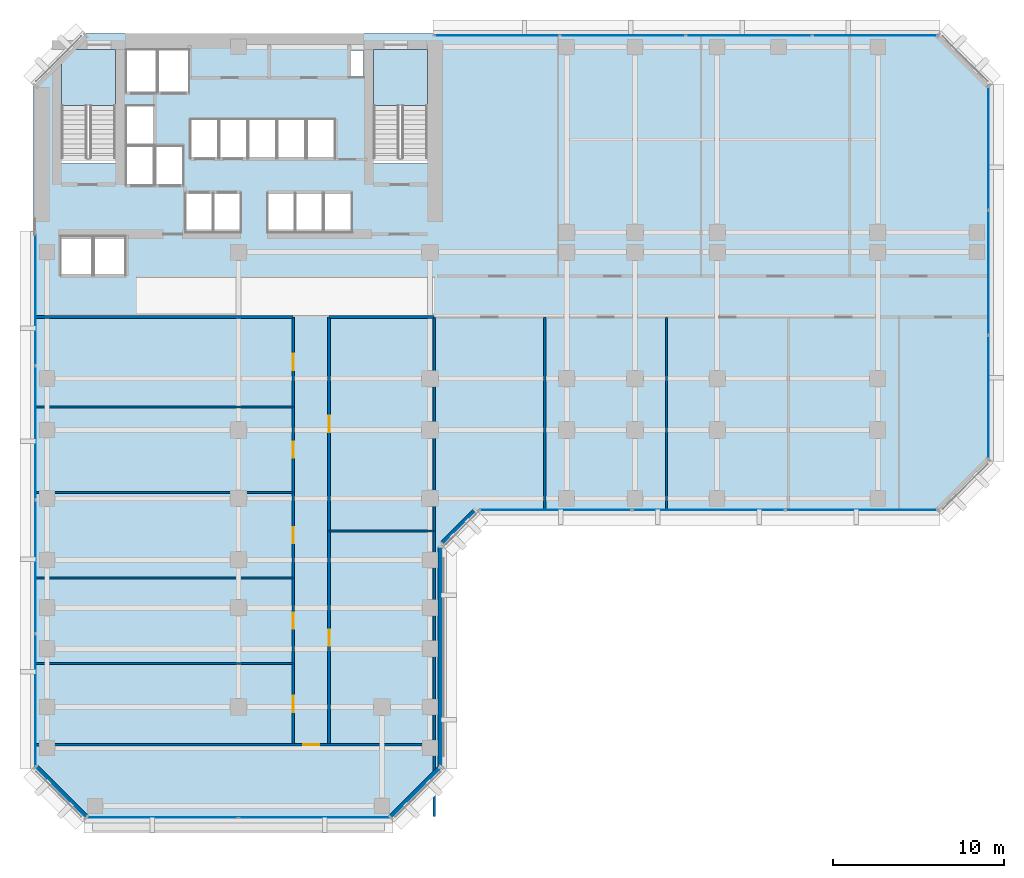
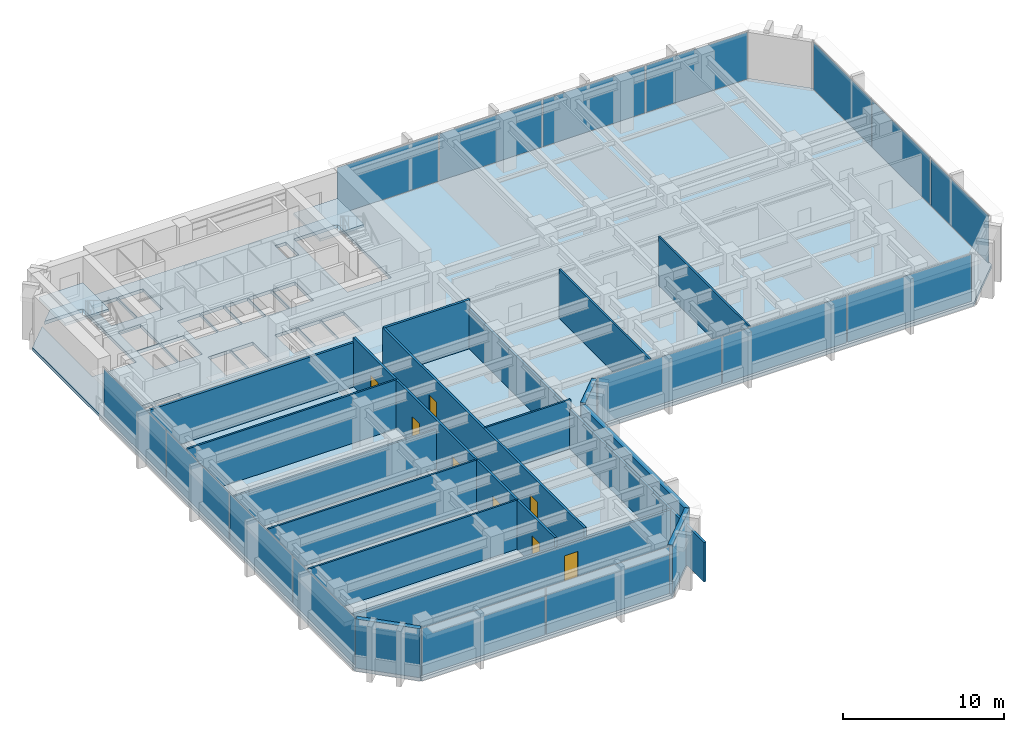
# One storey, part 6 of 13: 17 walls, 16 plates, 8 doors, 3 slabs, 8 openings, 7 elements without a shape of their own.
"""IFC4 building model written with IfcOpenShell, lengths in metres."""

from ifc_helpers import new_model, si_unit, direction, frame, frame_2d, origin, origin_2d, place, context, subcontext, project, spatial, polyline, rectangle, outline, extrude, material, layer, layer_set, type_object, element, fill, aggregate, save


model = new_model("IFC4")

# Units and contexts
model_context = context("Model", 3, precision=1e-05, world=origin(), true_north=direction((0.0, 1.0)))
body_context = subcontext(model_context, "Body", "Model", "MODEL_VIEW")
ifc_project = project(units=[si_unit("LENGTHUNIT", "METRE"), si_unit("AREAUNIT", "SQUARE_METRE"), si_unit("VOLUMEUNIT", "CUBIC_METRE"), si_unit("PLANEANGLEUNIT", "RADIAN"), si_unit("MASSUNIT", "GRAM", prefix="KILO")], contexts=[model_context])

# Site, building, storey
site_placement = place(None, origin())
site = spatial("IfcSite", under=ifc_project, at=site_placement, CompositionType="ELEMENT")
building_placement = place(site_placement, origin())
building = spatial("IfcBuilding", under=site, at=building_placement, Name="Kefirva Bronze Tower", CompositionType="ELEMENT")
storey_placement = place(building_placement, frame((0.0, 0.0, 62.0400390625)))
storey = spatial("IfcBuildingStorey", under=building, at=storey_placement, Name="L14", CompositionType="ELEMENT", Elevation=62.0400390625)

# Stair, slab
ifc_material_1 = material(Name="Concrete C40/50", Category="concrete")
stair_type = type_object("IfcStairType", Name="RC Dogleg Protected Stair 24R", PredefinedType="HALF_TURN_STAIR", material=ifc_material_1)
stair_1_placement = place(storey_placement, origin())
stair_1 = element("IfcStair", 1, at=stair_1_placement, inside=storey, type_object=stair_type, Name="L14 Protected Exit Stair 1", PredefinedType="HALF_TURN_STAIR")
ifc_layer_1 = layer(ifc_material_1, 0.199951171875, Name="Concrete C40/50")
ifc_layer_set_1 = layer_set([ifc_layer_1], Name="Concrete C40/50")
slab_type_1 = type_object("IfcSlabType", Name="RC Stair Landing Slab 200mm", PredefinedType="LANDING", material=ifc_layer_set_1)
slab_1_placement = place(storey_placement, frame((0.0, 0.0, 1.780029296875)))
slab_1 = element("IfcSlab", 2, at=slab_1_placement, type_object=slab_type_1, Name="ST-1 landing 1", PredefinedType="LANDING", context=body_context, shape_type="SweptSolid", body=[
    extrude(outline(polyline([(4.800048828125, 41.780029296875), (4.800048828125, 45.050048828125), (1.64990234375, 45.050048828125), (1.64990234375, 41.780029296875), (4.800048828125, 41.780029296875)])), origin(), (0.0, 0.0, 1.0), 0.199951171875),
])
aggregate(stair_1, [slab_1])

stair_2_placement = place(storey_placement, origin())
stair_2 = element("IfcStair", 3, at=stair_2_placement, inside=storey, type_object=stair_type, Name="L14 Protected Exit Stair 2", PredefinedType="HALF_TURN_STAIR")
slab_2_placement = place(storey_placement, frame((0.0, 0.0, 1.780029296875)))
slab_2 = element("IfcSlab", 4, at=slab_2_placement, type_object=slab_type_1, Name="ST-2 landing 1", PredefinedType="LANDING", context=body_context, shape_type="SweptSolid", body=[
    extrude(outline(polyline([(23.050048828125, 41.780029296875), (23.050048828125, 45.050048828125), (19.89990234375, 45.050048828125), (19.89990234375, 41.780029296875), (23.050048828125, 41.780029296875)])), origin(), (0.0, 0.0, 1.0), 0.199951171875),
])
aggregate(stair_2, [slab_2])

# Slab
ifc_layer_2 = layer(ifc_material_1, 0.25, Name="Concrete C40/50")
ifc_layer_set_2 = layer_set([ifc_layer_2], Name="Concrete C40/50")
slab_type_2 = type_object("IfcSlabType", Name="RC Tower Floor Slab 250mm", PredefinedType="FLOOR", material=ifc_layer_set_2)
slab_3_placement = place(storey_placement, frame((0.0, 0.0, -0.25)))
element("IfcSlab", 5, at=slab_3_placement, inside=storey, type_object=slab_type_2, Name="L14 Structural Floor Slab", PredefinedType="FLOOR", context=body_context, shape_type="SweptSolid", body=[
    extrude(outline(polyline([(0.0, 3.0), (0.0, 43.0), (1.64990234375, 44.64990234375), (1.64990234375, 38.39990234375), (4.800048828125, 38.39990234375), (4.800048828125, 45.050048828125), (2.050048828125, 45.050048828125), (3.0, 46.0), (53.0, 46.0), (56.0, 43.0), (56.0, 21.0), (53.0, 18.0), (26.0, 18.0), (24.0, 16.0), (24.0, 3.0), (21.0, 0.0), (3.0, 0.0), (0.0, 3.0)]), holes=[polyline([(19.89990234375, 38.39990234375), (23.050048828125, 38.39990234375), (23.050048828125, 45.050048828125), (19.89990234375, 45.050048828125), (19.89990234375, 38.39990234375)]), polyline([(18.52001953125, 43.419921875), (19.320068359375, 43.419921875), (19.320068359375, 45.0), (18.52001953125, 45.0), (18.52001953125, 43.419921875)]), polyline([(17.0, 34.35009765625), (18.64990234375, 34.35009765625), (18.64990234375, 36.64990234375), (17.0, 36.64990234375), (17.0, 34.35009765625)]), polyline([(17.64990234375, 38.679931640625), (17.64990234375, 40.97998046875), (16.0, 40.97998046875), (16.0, 38.679931640625), (17.64990234375, 38.679931640625)]), polyline([(16.949951171875, 34.35009765625), (16.949951171875, 36.64990234375), (15.35009765625, 36.64990234375), (15.35009765625, 34.35009765625), (16.949951171875, 34.35009765625)]), polyline([(15.929931640625, 38.679931640625), (15.929931640625, 40.97998046875), (14.300048828125, 40.97998046875), (14.300048828125, 38.679931640625), (15.929931640625, 38.679931640625)]), polyline([(15.300048828125, 34.35009765625), (15.300048828125, 36.64990234375), (13.699951171875, 36.64990234375), (13.699951171875, 34.35009765625), (15.300048828125, 34.35009765625)]), polyline([(14.22998046875, 38.679931640625), (14.22998046875, 40.97998046875), (12.60009765625, 40.97998046875), (12.60009765625, 38.679931640625), (14.22998046875, 38.679931640625)]), polyline([(10.89990234375, 38.679931640625), (12.530029296875, 38.679931640625), (12.530029296875, 40.97998046875), (10.89990234375, 40.97998046875), (10.89990234375, 38.679931640625)]), polyline([(12.139892578125, 34.35009765625), (12.139892578125, 36.64990234375), (10.5400390625, 36.64990234375), (10.5400390625, 34.35009765625), (12.139892578125, 34.35009765625)]), polyline([(10.830078125, 38.679931640625), (10.830078125, 40.97998046875), (9.199951171875, 40.97998046875), (9.199951171875, 38.679931640625), (10.830078125, 38.679931640625)]), polyline([(10.5, 34.35009765625), (10.5, 36.64990234375), (8.89990234375, 36.64990234375), (8.89990234375, 34.35009765625), (10.5, 34.35009765625)]), polyline([(7.300048828125, 42.550048828125), (9.1201171875, 42.550048828125), (9.1201171875, 45.050048828125), (7.300048828125, 45.050048828125), (7.300048828125, 42.550048828125)]), polyline([(7.139892578125, 37.10009765625), (8.780029296875, 37.10009765625), (8.780029296875, 39.39990234375), (7.139892578125, 39.39990234375), (7.139892578125, 37.10009765625)]), polyline([(5.419921875, 42.550048828125), (7.239990234375, 42.550048828125), (7.239990234375, 45.050048828125), (5.419921875, 45.050048828125), (5.419921875, 42.550048828125)]), polyline([(7.06005859375, 39.47998046875), (7.06005859375, 41.780029296875), (5.419921875, 41.780029296875), (5.419921875, 39.47998046875), (7.06005859375, 39.47998046875)]), polyline([(5.419921875, 37.10009765625), (7.06005859375, 37.10009765625), (7.06005859375, 39.39990234375), (5.419921875, 39.39990234375), (5.419921875, 37.10009765625)]), polyline([(5.39990234375, 31.85009765625), (5.39990234375, 34.14990234375), (3.550048828125, 34.14990234375), (3.550048828125, 31.85009765625), (5.39990234375, 31.85009765625)]), polyline([(3.449951171875, 31.85009765625), (3.449951171875, 34.14990234375), (1.60009765625, 34.14990234375), (1.60009765625, 31.85009765625), (3.449951171875, 31.85009765625)])]), origin(), (0.0, 0.0, 1.0), 0.25),
])

# Curtain wall, plates
ifc_material_2 = material(Name="Bronze anodised aluminium", Category="aluminium")
ifc_layer_3 = layer(ifc_material_2, 0.199951171875, Name="Bronze anodised aluminium")
ifc_layer_set_3 = layer_set([ifc_layer_3], Name="Bronze anodised aluminium")
curtain_wall_type = type_object("IfcCurtainWallType", Name="Unitised Bronze Ribbon Curtain Wall Zone 1", PredefinedType="USERDEFINED", material=ifc_layer_set_3)
curtain_wall_1_placement = place(storey_placement, origin())
curtain_wall_1 = element("IfcCurtainWall", 6, at=curtain_wall_1_placement, inside=storey, type_object=curtain_wall_type, Name="L14 Curtain Wall 1", ObjectType="UNITISED CURTAIN WALL", PredefinedType="USERDEFINED")
ifc_material_3 = material(Name="Laminated low-E double glazing", Category="glass")
ifc_layer_4 = layer(ifc_material_3, 0.031982421875, Name="Laminated low-E double glazing")
ifc_layer_set_4 = layer_set([ifc_layer_4], Name="Laminated low-E double glazing")
plate_type = type_object("IfcPlateType", Name="Solar-Control Low-E Vision Panel 32mm", PredefinedType="CURTAIN_PANEL", material=ifc_layer_set_4)
plate_1_placement = place(storey_placement, frame((7.546142578125, 0.1201171875, 0.074951171875), z_axis=(0.0, 0.0, 1.0), x_axis=(1.0, 0.0, 0.0)))
plate_1 = element("IfcPlate", 7, at=plate_1_placement, type_object=plate_type, Name="CW-01 panel 1.1", PredefinedType="CURTAIN_PANEL", context=body_context, shape_type="SweptSolid", body=[
    extrude(rectangle(XDim=8.83251953125, YDim=0.031982421875, at=origin_2d()), origin(), (0.0, 0.0, 1.0), 3.56005859375),
])
plate_2_placement = place(storey_placement, frame((16.453857421875, 0.1201171875, 0.074951171875), z_axis=(0.0, 0.0, 1.0), x_axis=(1.0, 0.0, 0.0)))
plate_2 = element("IfcPlate", 8, at=plate_2_placement, type_object=plate_type, Name="CW-01 panel 2.1", PredefinedType="CURTAIN_PANEL", context=body_context, shape_type="SweptSolid", body=[
    extrude(rectangle(XDim=8.83251953125, YDim=0.031982421875, at=origin_2d()), origin(), (0.0, 0.0, 1.0), 3.56005859375),
])
aggregate(curtain_wall_1, [plate_1, plate_2])

curtain_wall_2_placement = place(storey_placement, origin())
curtain_wall_2 = element("IfcCurtainWall", 9, at=curtain_wall_2_placement, inside=storey, type_object=curtain_wall_type, Name="L14 Curtain Wall 2", ObjectType="UNITISED CURTAIN WALL", PredefinedType="USERDEFINED")
plate_3_placement = place(storey_placement, frame((30.555419921875, 18.1201171875, 0.074951171875), z_axis=(0.0, 0.0, 1.0), x_axis=(1.0, 0.0, 0.0)))
plate_3 = element("IfcPlate", 10, at=plate_3_placement, type_object=plate_type, Name="CW-01 panel 1.1", PredefinedType="CURTAIN_PANEL", context=body_context, shape_type="SweptSolid", body=[
    extrude(rectangle(XDim=8.850830078125, YDim=0.031982421875, at=origin_2d()), origin(), (0.0, 0.0, 1.0), 3.56005859375),
])
plate_4_placement = place(storey_placement, frame((39.5, 18.1201171875, 0.074951171875), z_axis=(0.0, 0.0, 1.0), x_axis=(1.0, 0.0, 0.0)))
plate_4 = element("IfcPlate", 11, at=plate_4_placement, type_object=plate_type, Name="CW-01 panel 2.1", PredefinedType="CURTAIN_PANEL", context=body_context, shape_type="SweptSolid", body=[
    extrude(rectangle(XDim=8.888427734375, YDim=0.031982421875, at=origin_2d()), origin(), (0.0, 0.0, 1.0), 3.56005859375),
])
plate_5_placement = place(storey_placement, frame((48.444580078125, 18.1201171875, 0.074951171875), z_axis=(0.0, 0.0, 1.0), x_axis=(1.0, 0.0, 0.0)))
plate_5 = element("IfcPlate", 12, at=plate_5_placement, type_object=plate_type, Name="CW-01 panel 3.1", PredefinedType="CURTAIN_PANEL", context=body_context, shape_type="SweptSolid", body=[
    extrude(rectangle(XDim=8.850830078125, YDim=0.031982421875, at=origin_2d()), origin(), (0.0, 0.0, 1.0), 3.56005859375),
])
aggregate(curtain_wall_2, [plate_3, plate_4, plate_5])

curtain_wall_3_placement = place(storey_placement, origin())
curtain_wall_3 = element("IfcCurtainWall", 13, at=curtain_wall_3_placement, inside=storey, type_object=curtain_wall_type, Name="L14 Curtain Wall 3", ObjectType="UNITISED CURTAIN WALL", PredefinedType="USERDEFINED")
plate_6_placement = place(storey_placement, frame((55.8798828125, 24.72216796875, 0.074951171875), z_axis=(0.0, 0.0, 1.0), x_axis=(0.0, 1.0, 0.0)))
plate_6 = element("IfcPlate", 14, at=plate_6_placement, type_object=plate_type, Name="CW-01 panel 1.1", PredefinedType="CURTAIN_PANEL", context=body_context, shape_type="SweptSolid", body=[
    extrude(rectangle(XDim=7.18408203125, YDim=0.031982421875, at=origin_2d()), origin(), (0.0, 0.0, 1.0), 3.56005859375),
])
plate_7_placement = place(storey_placement, frame((55.8798828125, 32.0, 0.074951171875), z_axis=(0.0, 0.0, 1.0), x_axis=(0.0, 1.0, 0.0)))
plate_7 = element("IfcPlate", 15, at=plate_7_placement, type_object=plate_type, Name="CW-01 panel 2.1", PredefinedType="CURTAIN_PANEL", context=body_context, shape_type="SweptSolid", body=[
    extrude(rectangle(XDim=7.2216796875, YDim=0.031982421875, at=origin_2d()), origin(), (0.0, 0.0, 1.0), 3.56005859375),
])
plate_8_placement = place(storey_placement, frame((55.8798828125, 39.27783203125, 0.074951171875), z_axis=(0.0, 0.0, 1.0), x_axis=(0.0, 1.0, 0.0)))
plate_8 = element("IfcPlate", 16, at=plate_8_placement, type_object=plate_type, Name="CW-01 panel 3.1", PredefinedType="CURTAIN_PANEL", context=body_context, shape_type="SweptSolid", body=[
    extrude(rectangle(XDim=7.18408203125, YDim=0.031982421875, at=origin_2d()), origin(), (0.0, 0.0, 1.0), 3.56005859375),
])
aggregate(curtain_wall_3, [plate_6, plate_7, plate_8])

curtain_wall_4_placement = place(storey_placement, origin())
curtain_wall_4 = element("IfcCurtainWall", 17, at=curtain_wall_4_placement, inside=storey, type_object=curtain_wall_type, Name="L14 Curtain Wall 4", ObjectType="UNITISED CURTAIN WALL", PredefinedType="USERDEFINED")
plate_9_placement = place(storey_placement, frame((49.233642578125, 45.8798828125, 0.074951171875), z_axis=(0.0, 0.0, 1.0), x_axis=(-1.0, 0.0, 0.0)))
plate_9 = element("IfcPlate", 18, at=plate_9_placement, type_object=plate_type, Name="CW-01 panel 1.1", PredefinedType="CURTAIN_PANEL", context=body_context, shape_type="SweptSolid", body=[
    extrude(rectangle(XDim=7.2724609375, YDim=0.031982421875, at=origin_2d()), origin(), (0.0, 0.0, 1.0), 3.56005859375),
])
plate_10_placement = place(storey_placement, frame((41.867431640625, 45.8798828125, 0.074951171875), z_axis=(0.0, 0.0, 1.0), x_axis=(-1.0, 0.0, 0.0)))
plate_10 = element("IfcPlate", 19, at=plate_10_placement, type_object=plate_type, Name="CW-01 panel 2.1", PredefinedType="CURTAIN_PANEL", context=body_context, shape_type="SweptSolid", body=[
    extrude(rectangle(XDim=7.31005859375, YDim=0.031982421875, at=origin_2d()), origin(), (0.0, 0.0, 1.0), 3.56005859375),
])
plate_11_placement = place(storey_placement, frame((34.482421875, 45.8798828125, 0.074951171875), z_axis=(0.0, 0.0, 1.0), x_axis=(-1.0, 0.0, 0.0)))
plate_11 = element("IfcPlate", 20, at=plate_11_placement, type_object=plate_type, Name="CW-01 panel 3.1", PredefinedType="CURTAIN_PANEL", context=body_context, shape_type="SweptSolid", body=[
    extrude(rectangle(XDim=7.31005859375, YDim=0.031982421875, at=origin_2d()), origin(), (0.0, 0.0, 1.0), 3.56005859375),
])
plate_12_placement = place(storey_placement, frame((27.1162109375, 45.8798828125, 0.074951171875), z_axis=(0.0, 0.0, 1.0), x_axis=(-1.0, 0.0, 0.0)))
plate_12 = element("IfcPlate", 21, at=plate_12_placement, type_object=plate_type, Name="CW-01 panel 4.1", PredefinedType="CURTAIN_PANEL", context=body_context, shape_type="SweptSolid", body=[
    extrude(rectangle(XDim=7.2724609375, YDim=0.031982421875, at=origin_2d()), origin(), (0.0, 0.0, 1.0), 3.56005859375),
])
aggregate(curtain_wall_4, [plate_9, plate_10, plate_11, plate_12])

curtain_wall_5_placement = place(storey_placement, origin())
curtain_wall_5 = element("IfcCurtainWall", 22, at=curtain_wall_5_placement, inside=storey, type_object=curtain_wall_type, Name="L14 Curtain Wall 5", ObjectType="UNITISED CURTAIN WALL", PredefinedType="USERDEFINED")
plate_13_placement = place(storey_placement, frame((0.1201171875, 30.458740234375, 0.074951171875), z_axis=(0.0, 0.0, 1.0), x_axis=(0.0, -1.0, 0.0)))
plate_13 = element("IfcPlate", 23, at=plate_13_placement, type_object=plate_type, Name="CW-01 panel 1.1", PredefinedType="CURTAIN_PANEL", context=body_context, shape_type="SweptSolid", body=[
    extrude(rectangle(XDim=7.722412109375, YDim=0.031982421875, at=origin_2d()), origin(), (0.0, 0.0, 1.0), 3.56005859375),
])
plate_14_placement = place(storey_placement, frame((0.1201171875, 22.642578125, 0.074951171875), z_axis=(0.0, 0.0, 1.0), x_axis=(0.0, -1.0, 0.0)))
plate_14 = element("IfcPlate", 24, at=plate_14_placement, type_object=plate_type, Name="CW-01 panel 2.1", PredefinedType="CURTAIN_PANEL", context=body_context, shape_type="SweptSolid", body=[
    extrude(rectangle(XDim=7.760009765625, YDim=0.031982421875, at=origin_2d()), origin(), (0.0, 0.0, 1.0), 3.56005859375),
])
plate_15_placement = place(storey_placement, frame((0.1201171875, 14.8076171875, 0.074951171875), z_axis=(0.0, 0.0, 1.0), x_axis=(0.0, -1.0, 0.0)))
plate_15 = element("IfcPlate", 25, at=plate_15_placement, type_object=plate_type, Name="CW-01 panel 3.1", PredefinedType="CURTAIN_PANEL", context=body_context, shape_type="SweptSolid", body=[
    extrude(rectangle(XDim=7.760009765625, YDim=0.031982421875, at=origin_2d()), origin(), (0.0, 0.0, 1.0), 3.56005859375),
])
plate_16_placement = place(storey_placement, frame((0.1201171875, 6.9912109375, 0.074951171875), z_axis=(0.0, 0.0, 1.0), x_axis=(0.0, -1.0, 0.0)))
plate_16 = element("IfcPlate", 26, at=plate_16_placement, type_object=plate_type, Name="CW-01 panel 4.1", PredefinedType="CURTAIN_PANEL", context=body_context, shape_type="SweptSolid", body=[
    extrude(rectangle(XDim=7.722412109375, YDim=0.031982421875, at=origin_2d()), origin(), (0.0, 0.0, 1.0), 3.56005859375),
])
aggregate(curtain_wall_5, [plate_13, plate_14, plate_15, plate_16])

# Walls
ifc_material_4 = material(Name="Gypsum acoustic partition")
ifc_layer_5 = layer(ifc_material_4, 0.1298828125, Name="Gypsum acoustic partition")
ifc_layer_set_5 = layer_set([ifc_layer_5], Name="Gypsum acoustic partition")
wall_type_1 = type_object("IfcWallType", Name="Acoustic Office Partition 130mm", PredefinedType="PARTITIONING", material=ifc_layer_set_5)
for number, where, z_axis, x_axis, name in (
    (27, (0.18994140625, 9.141845703125, 0.0), (0.0, 0.0, 1.0), (1.0, 0.0, 0.0), "L14 Partition W-L14-SWD1"),
    (28, (0.18994140625, 14.143798828125, 0.0), (0.0, 0.0, 1.0), (1.0, 0.0, 0.0), "L14 Partition W-L14-SWD2"),
):
    element("IfcWall", number, at=place(storey_placement, frame(where, z_axis=z_axis, x_axis=x_axis)), inside=storey, type_object=wall_type_1, Name=name, PredefinedType="PARTITIONING", context=body_context, shape_type="SweptSolid", body=[
        extrude(rectangle(XDim=15.010009765625, YDim=0.1298828125, at=frame_2d((7.5048828125, 0.0))), origin(), (0.0, 0.0, 1.0), 3.7099609375),
    ])
wall_1_placement = place(storey_placement, frame((0.18994140625, 19.14599609375, 0.0), z_axis=(0.0, 0.0, 1.0), x_axis=(1.0, 0.0, 0.0)))
element("IfcWall", 29, at=wall_1_placement, inside=storey, type_object=wall_type_1, Name="L14 Partition W-L14-SWD3", PredefinedType="PARTITIONING", context=body_context, shape_type="SweptSolid", body=[
    extrude(rectangle(XDim=15.010009765625, YDim=0.1298828125, at=frame_2d((7.5048828125, 0.0))), origin(), (0.0, 0.0, 1.0), 2.994873046875),
])
wall_2_placement = place(storey_placement, frame((0.18994140625, 24.14794921875, 0.0), z_axis=(0.0, 0.0, 1.0), x_axis=(1.0, 0.0, 0.0)))
element("IfcWall", 30, at=wall_2_placement, inside=storey, type_object=wall_type_1, Name="L14 Partition W-L14-SWD4", PredefinedType="PARTITIONING", context=body_context, shape_type="SweptSolid", body=[
    extrude(rectangle(XDim=15.010009765625, YDim=0.1298828125, at=frame_2d((7.5048828125, 0.0))), origin(), (0.0, 0.0, 1.0), 3.7099609375),
])
wall_3_placement = place(storey_placement, frame((17.300048828125, 16.89501953125, 0.0), z_axis=(0.0, 0.0, 1.0), x_axis=(1.0, 0.0, 0.0)))
element("IfcWall", 31, at=wall_3_placement, inside=storey, type_object=wall_type_1, Name="L14 Partition W-L14-SED1", PredefinedType="PARTITIONING", context=body_context, shape_type="SweptSolid", body=[
    extrude(rectangle(XDim=6.14990234375, YDim=0.1298828125, at=frame_2d((3.074951171875, 0.0))), origin(), (0.0, 0.0, 1.0), 3.7099609375),
])
for number, where, z_axis, x_axis, name in (
    (32, (29.922119140625, 18.18994140625, 0.0), (0.0, 0.0, 1.0), (0.0, 1.0, 0.0), "L14 Partition W-L14-ESD1"),
    (33, (37.041259765625, 18.18994140625, 0.0), (0.0, 0.0, 1.0), (0.0, 1.0, 0.0), "L14 Partition W-L14-ESD2"),
):
    element("IfcWall", number, at=place(storey_placement, frame(where, z_axis=z_axis, x_axis=x_axis)), inside=storey, type_object=wall_type_1, Name=name, PredefinedType="PARTITIONING", context=body_context, shape_type="SweptSolid", body=[
        extrude(rectangle(XDim=11.2099609375, YDim=0.1298828125, at=frame_2d((5.60498046875, 0.0))), origin(), (0.0, 0.0, 1.0), 3.7099609375),
    ])
ifc_material_5 = material(Name="Precast concrete C40/50", Category="concrete")
ifc_layer_6 = layer(ifc_material_5, 0.320068359375, Name="Precast concrete C40/50")
ifc_layer_set_6 = layer_set([ifc_layer_6], Name="Precast concrete C40/50")
wall_type_2 = type_object("IfcWallType", Name="Precast Insulated Exterior Wall 320mm", PredefinedType="SOLIDWALL", material=ifc_layer_set_6)
wall_4_placement = place(storey_placement, frame((20.92578125, 0.152099609375, 0.0), z_axis=(0.0, 0.0, 1.0), x_axis=(0.707106781187, 0.707106781187, 0.0)))
element("IfcWall", 34, at=wall_4_placement, inside=storey, type_object=wall_type_2, Name="L14 Exterior Facade Wall 1", PredefinedType="SOLIDWALL", context=body_context, shape_type="SweptSolid", body=[
    extrude(rectangle(XDim=4.132568359375, YDim=0.320068359375, at=frame_2d((2.06640625, 0.0))), origin(), (0.0, 0.0, 1.0), 3.7099609375),
])
wall_5_placement = place(storey_placement, frame((23.840087890625, 3.054931640625, 0.0), z_axis=(0.0, 0.0, 1.0), x_axis=(0.0, 1.0, 0.0)))
element("IfcWall", 35, at=wall_5_placement, inside=storey, type_object=wall_type_2, Name="L14 Exterior Facade Wall 2", PredefinedType="SOLIDWALL", context=body_context, shape_type="SweptSolid", body=[
    extrude(rectangle(XDim=12.89013671875, YDim=0.320068359375, at=frame_2d((6.445068359375, 0.0))), origin(), (0.0, 0.0, 1.0), 3.7099609375),
])
wall_6_placement = place(storey_placement, frame((23.92578125, 16.152099609375, 0.0), z_axis=(0.0, 0.0, 1.0), x_axis=(0.707106781187, 0.707106781187, 0.0)))
element("IfcWall", 36, at=wall_6_placement, inside=storey, type_object=wall_type_2, Name="L14 Exterior Facade Wall 3", PredefinedType="SOLIDWALL", context=body_context, shape_type="SweptSolid", body=[
    extrude(rectangle(XDim=2.71826171875, YDim=0.320068359375, at=frame_2d((1.359130859375, 0.0))), origin(), (0.0, 0.0, 1.0), 3.7099609375),
])
wall_7_placement = place(storey_placement, frame((0.152099609375, 3.07421875, 0.0), z_axis=(0.0, 0.0, 1.0), x_axis=(0.707106781187, -0.707106781187, 0.0)))
element("IfcWall", 37, at=wall_7_placement, inside=storey, type_object=wall_type_2, Name="L14 Exterior Facade Wall 7", PredefinedType="SOLIDWALL", context=body_context, shape_type="SweptSolid", body=[
    extrude(rectangle(XDim=4.132568359375, YDim=0.320068359375, at=frame_2d((2.06640625, 0.0))), origin(), (0.0, 0.0, 1.0), 3.7099609375),
])

# Wall, openings, doors
ifc_layer_7 = layer(ifc_material_4, 0.159912109375, Name="Gypsum acoustic partition")
ifc_layer_set_7 = layer_set([ifc_layer_7], Name="Gypsum acoustic partition")
wall_type_3 = type_object("IfcWallType", Name="Protected Corridor Partition 160mm", PredefinedType="PARTITIONING", material=ifc_layer_set_7)
wall_8_placement = place(storey_placement, frame((15.199951171875, 4.389892578125, 0.0), z_axis=(0.0, 0.0, 1.0), x_axis=(0.0, 1.0, 0.0)))
wall_8 = element("IfcWall", 38, at=wall_8_placement, inside=storey, type_object=wall_type_3, Name="L14 Partition W-L14-SWCORW", PredefinedType="PARTITIONING", context=body_context, shape_type="SweptSolid", body=[
    extrude(rectangle(XDim=25.010009765625, YDim=0.159912109375, at=frame_2d((12.5048828125, 0.0))), origin(), (0.0, 0.0, 1.0), 3.7099609375),
])
opening_1_placement = place(wall_8_placement, frame((2.850830078125, 0.0, 0.0), z_axis=(0.0, 0.0, 1.0), x_axis=(-1.0, 0.0, 0.0)))
opening_1 = element("IfcOpeningElement", 39, at=opening_1_placement, cuts=wall_8, Name="Opening L14-D-SW1", PredefinedType="OPENING", context=body_context, shape_type="SweptSolid", body=[
    extrude(rectangle(XDim=0.949951171875, YDim=2.14990234375, at=frame_2d((0.47509765625, 1.074951171875))), frame((0.0, 0.08984375, 0.0), z_axis=(0.0, -1.0, 0.0), x_axis=(1.0, 0.0, 0.0)), (0.0, 0.0, 1.0), 0.179931640625),
])
opening_2_placement = place(wall_8_placement, frame((7.727783203125, 0.0, 0.0), z_axis=(0.0, 0.0, 1.0), x_axis=(-1.0, 0.0, 0.0)))
opening_2 = element("IfcOpeningElement", 40, at=opening_2_placement, cuts=wall_8, Name="Opening L14-D-SW2", PredefinedType="OPENING", context=body_context, shape_type="SweptSolid", body=[
    extrude(rectangle(XDim=0.949951171875, YDim=2.14990234375, at=frame_2d((0.47509765625, 1.074951171875))), frame((0.0, 0.08984375, 0.0), z_axis=(0.0, -1.0, 0.0), x_axis=(1.0, 0.0, 0.0)), (0.0, 0.0, 1.0), 0.179931640625),
])
opening_3_placement = place(wall_8_placement, frame((12.729736328125, 0.0, 0.0), z_axis=(0.0, 0.0, 1.0), x_axis=(-1.0, 0.0, 0.0)))
opening_3 = element("IfcOpeningElement", 41, at=opening_3_placement, cuts=wall_8, Name="Opening L14-D-SW3", PredefinedType="OPENING", context=body_context, shape_type="SweptSolid", body=[
    extrude(rectangle(XDim=0.949951171875, YDim=2.14990234375, at=frame_2d((0.47509765625, 1.074951171875))), frame((0.0, 0.08984375, 0.0), z_axis=(0.0, -1.0, 0.0), x_axis=(1.0, 0.0, 0.0)), (0.0, 0.0, 1.0), 0.179931640625),
])
opening_4_placement = place(wall_8_placement, frame((17.73193359375, 0.0, 0.0), z_axis=(0.0, 0.0, 1.0), x_axis=(-1.0, 0.0, 0.0)))
opening_4 = element("IfcOpeningElement", 42, at=opening_4_placement, cuts=wall_8, Name="Opening L14-D-SW4", PredefinedType="OPENING", context=body_context, shape_type="SweptSolid", body=[
    extrude(rectangle(XDim=0.949951171875, YDim=2.14990234375, at=frame_2d((0.47509765625, 1.074951171875))), frame((0.0, 0.08984375, 0.0), z_axis=(0.0, -1.0, 0.0), x_axis=(1.0, 0.0, 0.0)), (0.0, 0.0, 1.0), 0.179931640625),
])
opening_5_placement = place(wall_8_placement, frame((22.85888671875, 0.0, 0.0), z_axis=(0.0, 0.0, 1.0), x_axis=(-1.0, 0.0, 0.0)))
opening_5 = element("IfcOpeningElement", 43, at=opening_5_placement, cuts=wall_8, Name="Opening L14-D-SW5", PredefinedType="OPENING", context=body_context, shape_type="SweptSolid", body=[
    extrude(rectangle(XDim=0.949951171875, YDim=2.14990234375, at=frame_2d((0.47509765625, 1.074951171875))), frame((0.0, 0.08984375, 0.0), z_axis=(0.0, -1.0, 0.0), x_axis=(1.0, 0.0, 0.0)), (0.0, 0.0, 1.0), 0.179931640625),
])
ifc_material_6 = material(Name="Acoustic hardwood oak", Category="wood")
door_type = type_object("IfcDoorType", Name="Office & Meeting Room Door 950x2150", OperationType="NOTDEFINED", PredefinedType="DOOR", material=ifc_material_6)
door_1_placement = place(opening_1_placement, origin())
door_1 = element("IfcDoor", 44, at=door_1_placement, inside=storey, type_object=door_type, Name="Door L14-D-SW1", OperationType="SINGLE_SWING_RIGHT", OverallHeight=2.14990234375, OverallWidth=0.949951171875, PredefinedType="DOOR", context=body_context, shape_type="SweptSolid", body=[
    extrude(rectangle(XDim=0.949951171875, YDim=2.14990234375, at=frame_2d((0.47509765625, 1.074951171875))), frame((0.0, 0.02490234375, 0.0), z_axis=(0.0, -1.0, 0.0), x_axis=(1.0, 0.0, 0.0)), (0.0, 0.0, 1.0), 0.050048828125),
])
fill(opening_1, door_1)
door_2_placement = place(opening_2_placement, origin())
door_2 = element("IfcDoor", 45, at=door_2_placement, inside=storey, type_object=door_type, Name="Door L14-D-SW2", OperationType="SINGLE_SWING_LEFT", OverallHeight=2.14990234375, OverallWidth=0.949951171875, PredefinedType="DOOR", context=body_context, shape_type="SweptSolid", body=[
    extrude(rectangle(XDim=0.949951171875, YDim=2.14990234375, at=frame_2d((0.47509765625, 1.074951171875))), frame((0.0, 0.02490234375, 0.0), z_axis=(0.0, -1.0, 0.0), x_axis=(1.0, 0.0, 0.0)), (0.0, 0.0, 1.0), 0.050048828125),
])
fill(opening_2, door_2)
door_3_placement = place(opening_3_placement, origin())
door_3 = element("IfcDoor", 46, at=door_3_placement, inside=storey, type_object=door_type, Name="Door L14-D-SW3", OperationType="SINGLE_SWING_RIGHT", OverallHeight=2.14990234375, OverallWidth=0.949951171875, PredefinedType="DOOR", context=body_context, shape_type="SweptSolid", body=[
    extrude(rectangle(XDim=0.949951171875, YDim=2.14990234375, at=frame_2d((0.47509765625, 1.074951171875))), frame((0.0, 0.02490234375, 0.0), z_axis=(0.0, -1.0, 0.0), x_axis=(1.0, 0.0, 0.0)), (0.0, 0.0, 1.0), 0.050048828125),
])
fill(opening_3, door_3)
door_4_placement = place(opening_4_placement, origin())
door_4 = element("IfcDoor", 47, at=door_4_placement, inside=storey, type_object=door_type, Name="Door L14-D-SW4", OperationType="SINGLE_SWING_LEFT", OverallHeight=2.14990234375, OverallWidth=0.949951171875, PredefinedType="DOOR", context=body_context, shape_type="SweptSolid", body=[
    extrude(rectangle(XDim=0.949951171875, YDim=2.14990234375, at=frame_2d((0.47509765625, 1.074951171875))), frame((0.0, 0.02490234375, 0.0), z_axis=(0.0, -1.0, 0.0), x_axis=(1.0, 0.0, 0.0)), (0.0, 0.0, 1.0), 0.050048828125),
])
fill(opening_4, door_4)
door_5_placement = place(opening_5_placement, origin())
door_5 = element("IfcDoor", 48, at=door_5_placement, inside=storey, type_object=door_type, Name="Door L14-D-SW5", OperationType="SINGLE_SWING_RIGHT", OverallHeight=2.14990234375, OverallWidth=0.949951171875, PredefinedType="DOOR", context=body_context, shape_type="SweptSolid", body=[
    extrude(rectangle(XDim=0.949951171875, YDim=2.14990234375, at=frame_2d((0.47509765625, 1.074951171875))), frame((0.0, 0.02490234375, 0.0), z_axis=(0.0, -1.0, 0.0), x_axis=(1.0, 0.0, 0.0)), (0.0, 0.0, 1.0), 0.050048828125),
])
fill(opening_5, door_5)

wall_9_placement = place(storey_placement, frame((17.300048828125, 4.389892578125, 0.0), z_axis=(0.0, 0.0, 1.0), x_axis=(0.0, 1.0, 0.0)))
wall_9 = element("IfcWall", 49, at=wall_9_placement, inside=storey, type_object=wall_type_3, Name="L14 Partition W-L14-SECORE", PredefinedType="PARTITIONING", context=body_context, shape_type="SweptSolid", body=[
    extrude(rectangle(XDim=25.010009765625, YDim=0.159912109375, at=frame_2d((12.5048828125, 0.0))), origin(), (0.0, 0.0, 1.0), 3.7099609375),
])
opening_6_placement = place(wall_9_placement, frame((5.777587890625, 0.0, 0.0)))
opening_6 = element("IfcOpeningElement", 50, at=opening_6_placement, cuts=wall_9, Name="Opening L14-D-SE1", PredefinedType="OPENING", context=body_context, shape_type="SweptSolid", body=[
    extrude(rectangle(XDim=0.949951171875, YDim=2.14990234375, at=frame_2d((0.47509765625, 1.074951171875))), frame((0.0, 0.08984375, 0.0), z_axis=(0.0, -1.0, 0.0), x_axis=(1.0, 0.0, 0.0)), (0.0, 0.0, 1.0), 0.179931640625),
])
opening_7_placement = place(wall_9_placement, frame((18.282470703125, 0.0, 0.0)))
opening_7 = element("IfcOpeningElement", 51, at=opening_7_placement, cuts=wall_9, Name="Opening L14-D-SE2", PredefinedType="OPENING", context=body_context, shape_type="SweptSolid", body=[
    extrude(rectangle(XDim=0.949951171875, YDim=2.14990234375, at=frame_2d((0.47509765625, 1.074951171875))), frame((0.0, 0.08984375, 0.0), z_axis=(0.0, -1.0, 0.0), x_axis=(1.0, 0.0, 0.0)), (0.0, 0.0, 1.0), 0.179931640625),
])
door_6_placement = place(opening_6_placement, origin())
door_6 = element("IfcDoor", 52, at=door_6_placement, inside=storey, type_object=door_type, Name="Door L14-D-SE1", OperationType="SINGLE_SWING_LEFT", OverallHeight=2.14990234375, OverallWidth=0.949951171875, PredefinedType="DOOR", context=body_context, shape_type="SweptSolid", body=[
    extrude(rectangle(XDim=0.949951171875, YDim=2.14990234375, at=frame_2d((0.47509765625, 1.074951171875))), frame((0.0, 0.02490234375, 0.0), z_axis=(0.0, -1.0, 0.0), x_axis=(1.0, 0.0, 0.0)), (0.0, 0.0, 1.0), 0.050048828125),
])
fill(opening_6, door_6)
door_7_placement = place(opening_7_placement, origin())
door_7 = element("IfcDoor", 53, at=door_7_placement, inside=storey, type_object=door_type, Name="Door L14-D-SE2", OperationType="SINGLE_SWING_RIGHT", OverallHeight=2.14990234375, OverallWidth=0.949951171875, PredefinedType="DOOR", context=body_context, shape_type="SweptSolid", body=[
    extrude(rectangle(XDim=0.949951171875, YDim=2.14990234375, at=frame_2d((0.47509765625, 1.074951171875))), frame((0.0, 0.02490234375, 0.0), z_axis=(0.0, -1.0, 0.0), x_axis=(1.0, 0.0, 0.0)), (0.0, 0.0, 1.0), 0.050048828125),
])
fill(opening_7, door_7)

# Wall, opening, door
wall_10_placement = place(storey_placement, frame((0.18994140625, 4.389892578125, 0.0), z_axis=(0.0, 0.0, 1.0), x_axis=(1.0, 0.0, 0.0)))
wall_10 = element("IfcWall", 54, at=wall_10_placement, inside=storey, type_object=wall_type_3, Name="L14 Partition W-L14-SBEND", PredefinedType="PARTITIONING", context=body_context, shape_type="SweptSolid", body=[
    extrude(rectangle(XDim=23.260009765625, YDim=0.159912109375, at=frame_2d((11.6298828125, 0.0))), origin(), (0.0, 0.0, 1.0), 2.994873046875),
])
opening_8_placement = place(wall_10_placement, frame((15.590087890625, 0.0, 0.0)))
opening_8 = element("IfcOpeningElement", 55, at=opening_8_placement, cuts=wall_10, Name="Opening L14-D-SEND1", PredefinedType="OPENING", context=body_context, shape_type="SweptSolid", body=[
    extrude(rectangle(XDim=0.949951171875, YDim=2.14990234375, at=frame_2d((0.47509765625, 1.074951171875))), frame((0.0, 0.08984375, 0.0), z_axis=(0.0, -1.0, 0.0), x_axis=(1.0, 0.0, 0.0)), (0.0, 0.0, 1.0), 0.179931640625),
])
door_8_placement = place(opening_8_placement, origin())
door_8 = element("IfcDoor", 56, at=door_8_placement, inside=storey, type_object=door_type, Name="Door L14-D-SEND1", OperationType="SINGLE_SWING_LEFT", OverallHeight=2.14990234375, OverallWidth=0.949951171875, PredefinedType="DOOR", context=body_context, shape_type="SweptSolid", body=[
    extrude(rectangle(XDim=0.949951171875, YDim=2.14990234375, at=frame_2d((0.47509765625, 1.074951171875))), frame((0.0, 0.02490234375, 0.0), z_axis=(0.0, -1.0, 0.0), x_axis=(1.0, 0.0, 0.0)), (0.0, 0.0, 1.0), 0.050048828125),
])
fill(opening_8, door_8)

# Walls
wall_11_placement = place(storey_placement, frame((0.18994140625, 29.39990234375, 0.0), z_axis=(0.0, 0.0, 1.0), x_axis=(1.0, 0.0, 0.0)))
element("IfcWall", 57, at=wall_11_placement, inside=storey, type_object=wall_type_3, Name="L14 Partition W-L14-NWT", PredefinedType="PARTITIONING", context=body_context, shape_type="SweptSolid", body=[
    extrude(rectangle(XDim=15.010009765625, YDim=0.159912109375, at=frame_2d((7.5048828125, 0.0))), origin(), (0.0, 0.0, 1.0), 3.364990234375),
])
wall_12_placement = place(storey_placement, frame((17.300048828125, 29.39990234375, 0.0), z_axis=(0.0, 0.0, 1.0), x_axis=(1.0, 0.0, 0.0)))
element("IfcWall", 58, at=wall_12_placement, inside=storey, type_object=wall_type_3, Name="L14 Partition W-L14-NET", PredefinedType="PARTITIONING", context=body_context, shape_type="SweptSolid", body=[
    extrude(rectangle(XDim=6.14990234375, YDim=0.159912109375, at=frame_2d((3.074951171875, 0.0))), origin(), (0.0, 0.0, 1.0), 3.7099609375),
])
wall_13_placement = place(storey_placement, frame((23.449951171875, 0.18994140625, 0.0), z_axis=(0.0, 0.0, 1.0), x_axis=(0.0, 1.0, 0.0)))
element("IfcWall", 59, at=wall_13_placement, inside=storey, type_object=wall_type_3, Name="L14 Partition W-L14-SWEAST", PredefinedType="PARTITIONING", context=body_context, shape_type="SweptSolid", body=[
    extrude(rectangle(XDim=29.2099609375, YDim=0.159912109375, at=frame_2d((14.60498046875, 0.0))), origin(), (0.0, 0.0, 1.0), 2.994873046875),
])

save(model, "model.ifc")
